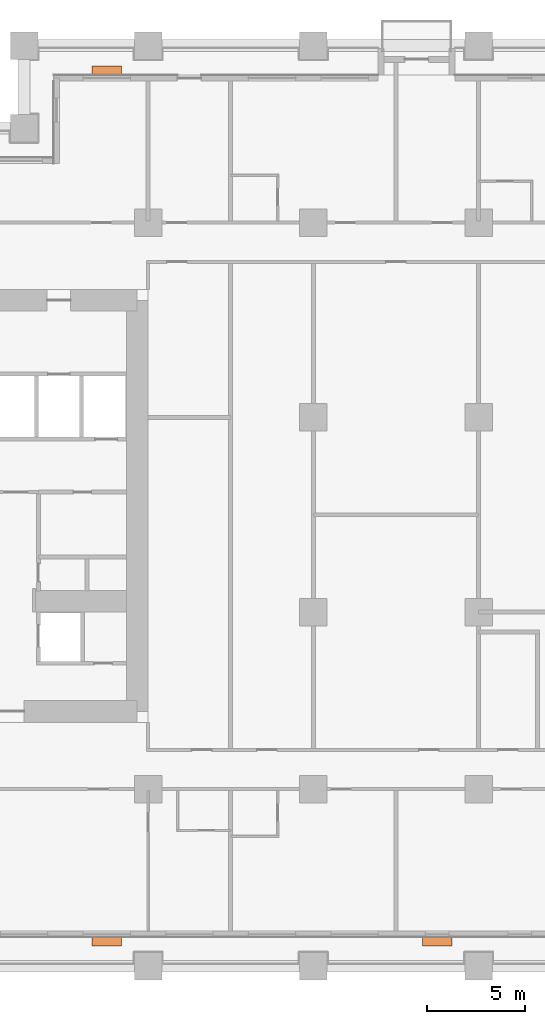
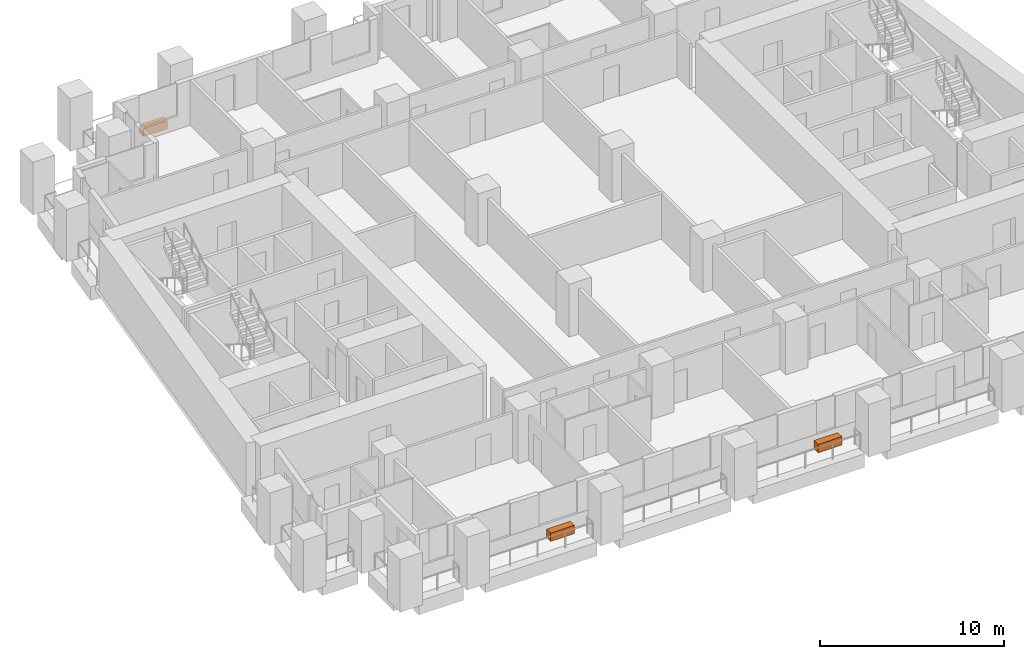
# One storey, part 12 of 12: 3 proxies.
"""IFC4 building model written with IfcOpenShell, lengths in metres."""

from ifc_helpers import new_model, si_unit, direction, frame, origin, origin_2d, place, context, subcontext, project, spatial, rectangle, extrude, element, save


model = new_model("IFC4")

# Units and contexts
model_context = context("Model", 3, precision=1e-05, world=origin(), true_north=direction((0.0, 1.0)))
body_context = subcontext(model_context, "Body", "Model", "MODEL_VIEW")
ifc_project = project(units=[si_unit("LENGTHUNIT", "METRE"), si_unit("AREAUNIT", "SQUARE_METRE"), si_unit("VOLUMEUNIT", "CUBIC_METRE"), si_unit("PLANEANGLEUNIT", "RADIAN"), si_unit("MASSUNIT", "GRAM", prefix="KILO")], contexts=[model_context])

# Site, building, storey
site_placement = place(None, origin())
site = spatial("IfcSite", under=ifc_project, at=site_placement, CompositionType="ELEMENT")
building_placement = place(site_placement, origin())
building = spatial("IfcBuilding", under=site, at=building_placement, Name="Candeia Pilgrim Tower and Theatre", CompositionType="ELEMENT")
storey_placement = place(building_placement, frame((0.0, 0.0, 77.5)))
storey = spatial("IfcBuildingStorey", under=building, at=storey_placement, Name="L17", CompositionType="ELEMENT", Elevation=77.5)

# Proxies
for number, where, z_axis, x_axis, name in (
    (1, (98.699951171875, 99.2548828125, 0.0), (0.0, 0.0, 1.0), (1.0, 0.0, 0.0), "Planter"),
    (2, (115.5, 99.2548828125, 0.0), (0.0, 0.0, 1.0), (1.0, 0.0, 0.0), "Planter"),
    (3, (98.699951171875, 143.544921875, 0.0), (0.0, 0.0, 1.0), (-1.0, 0.0, 0.0), "Planter"),
):
    element("IfcBuildingElementProxy", number, at=place(storey_placement, frame(where, z_axis=z_axis, x_axis=x_axis)), inside=storey, Name=name, ObjectType="PLANTER", PredefinedType="USERDEFINED", context=body_context, shape_type="SweptSolid", body=[
        extrude(rectangle(XDim=1.5, YDim=0.449951171875, at=origin_2d()), origin(), (0.0, 0.0, 1.0), 0.550048828125),
    ])

save(model, "model.ifc")
